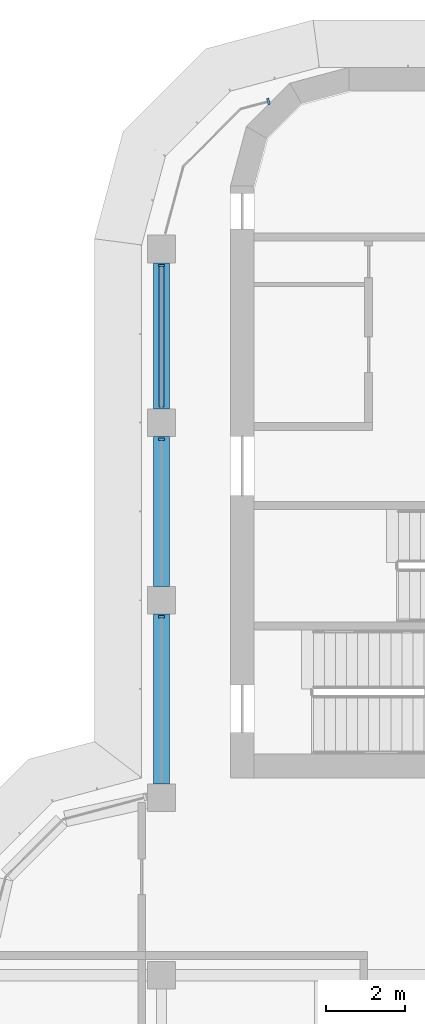
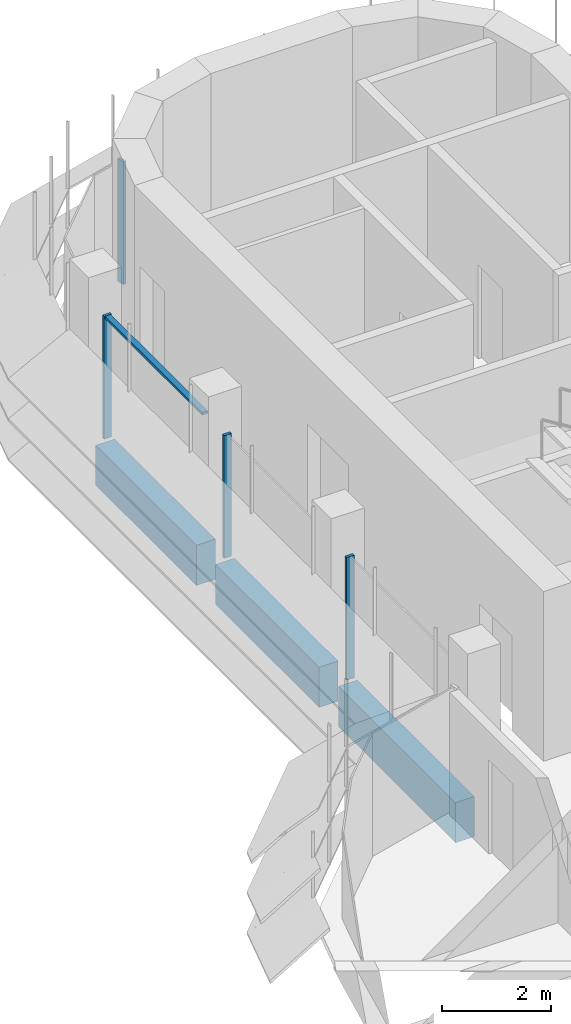
# One storey, part 7 of 19: 5 members, 3 beams, 2 elements without a shape of their own.
"""IFC4 building model written with IfcOpenShell, lengths in metres."""

from ifc_helpers import new_model, si_unit, direction, frame, origin, origin_2d, place, context, subcontext, project, spatial, polyline, rectangle, outline, extrude, source, transform, mapped, material, material_profile, profile_set, type_object, element, aggregate, save


model = new_model("IFC4")

# Units and contexts
model_context = context("Model", 3, precision=1e-05, world=origin(), true_north=direction((0.0, 1.0)))
body_context = subcontext(model_context, "Body", "Model", "MODEL_VIEW")
ifc_project = project(units=[si_unit("LENGTHUNIT", "METRE"), si_unit("AREAUNIT", "SQUARE_METRE"), si_unit("VOLUMEUNIT", "CUBIC_METRE"), si_unit("PLANEANGLEUNIT", "RADIAN"), si_unit("MASSUNIT", "GRAM", prefix="KILO")], contexts=[model_context])

# Site, building, storey
site_placement = place(None, origin())
site = spatial("IfcSite", under=ifc_project, at=site_placement, CompositionType="ELEMENT")
building_placement = place(site_placement, origin())
building = spatial("IfcBuilding", under=site, at=building_placement, Name="Zarbagh Exchange Tower", CompositionType="ELEMENT")
storey_placement = place(building_placement, frame((0.0, 0.0, 233.39990234375)))
storey = spatial("IfcBuildingStorey", under=building, at=storey_placement, Name="L57", CompositionType="ELEMENT", Elevation=233.39990234375)

# Beams
ifc_material_1 = material(Name="Concrete C50/60", Category="concrete")
ifc_material_profile = material_profile(ifc_material_1, rectangle(XDim=0.39990234375, YDim=0.89990234375, at=origin_2d()), Name="RC spandrel beam 400 x 900 C50/60")
ifc_profile_set = profile_set([ifc_material_profile], Name="Concrete C50/60")
beam_type = type_object("IfcBeamType", Name="RC spandrel beam 400 x 900 C50/60", PredefinedType="SPANDREL", material=ifc_profile_set)
beam_1_placement = place(storey_placement, frame((-6.25, 11.10009765625, -0.599853515625), z_axis=(0.0, 1.0, 0.0), x_axis=(-1.0, 0.0, 0.0)))
element("IfcBeam", 1, at=beam_1_placement, inside=storey, type_object=beam_type, Name="RC spandrel beam", PredefinedType="SPANDREL", context=body_context, shape_type="SweptSolid", body=[
    extrude(rectangle(XDim=0.39990234375, YDim=0.89990234375, at=origin_2d()), origin(), (0.0, 0.0, 1.0), 4.2998046875),
])
beam_2_placement = place(storey_placement, frame((-6.25, 16.10009765625, -0.599853515625), z_axis=(0.0, 1.0, 0.0), x_axis=(-1.0, 0.0, 0.0)))
element("IfcBeam", 2, at=beam_2_placement, inside=storey, type_object=beam_type, Name="RC spandrel beam", PredefinedType="SPANDREL", context=body_context, shape_type="SweptSolid", body=[
    extrude(rectangle(XDim=0.39990234375, YDim=0.89990234375, at=origin_2d()), origin(), (0.0, 0.0, 1.0), 3.7998046875),
])
beam_3_placement = place(storey_placement, frame((-6.25, 20.60009765625, -0.599853515625), z_axis=(0.0, 1.0, 0.0), x_axis=(-1.0, 0.0, 0.0)))
element("IfcBeam", 3, at=beam_3_placement, inside=storey, type_object=beam_type, Name="RC spandrel beam", PredefinedType="SPANDREL", context=body_context, shape_type="SweptSolid", body=[
    extrude(rectangle(XDim=0.39990234375, YDim=0.89990234375, at=origin_2d()), origin(), (0.0, 0.0, 1.0), 3.699951171875),
])

# Curtain wall, member
ifc_material_2 = material(Name="Anodised aluminium frame and glazing", Category="aluminium")
curtain_wall_type = type_object("IfcCurtainWallType", Name="CWB Ribbon glazing, upper zones", PredefinedType="NOTDEFINED", material=ifc_material_2)
curtain_wall_1_placement = place(storey_placement, origin())
curtain_wall_1 = element("IfcCurtainWall", 4, at=curtain_wall_1_placement, inside=storey, type_object=curtain_wall_type, Name="CWB70 curtain wall", PredefinedType="NOTDEFINED")
ifc_material_3 = material(Name="Anodised aluminium frame", Category="aluminium")
member_type_1 = type_object("IfcMemberType", Name="MUB Mullion, anodised aluminium frame", PredefinedType="MULLION", material=ifc_material_3)
shared_shape_1 = source(origin(), body_context, "Body", "SweptSolid", [
    extrude(outline(polyline([(0.0, -0.080078125), (0.06005859375, -0.080078125), (0.06005859375, 0.080078125), (0.0, 0.080078125), (0.0, -0.080078125)])), origin(), (0.0, 0.0, 1.0), 2.75),
])
placement = place(storey_placement, origin())
member_1 = element("IfcMember", 5, at=placement, type_object=member_type_1, Name="CWB70 mullion 1.1", PredefinedType="MULLION", context=body_context, shape_type="MappedRepresentation", body=[
    mapped(shared_shape_1, transform((-3.510009765625, 28.394775390625, 0.0), x_axis=(-0.965924289636, -0.258824779902, 0.0), y_axis=(0.258824779902, -0.965924289636, 0.0), z_axis=(0.0, 0.0, 1.0))),
])
aggregate(curtain_wall_1, [member_1])

# Curtain wall, members
curtain_wall_2_placement = place(storey_placement, origin())
curtain_wall_2 = element("IfcCurtainWall", 6, at=curtain_wall_2_placement, inside=storey, type_object=curtain_wall_type, Name="CWB73 curtain wall", PredefinedType="NOTDEFINED")
member_2 = element("IfcMember", 7, at=placement, type_object=member_type_1, Name="CWB73 mullion 1.1", PredefinedType="MULLION", context=body_context, shape_type="MappedRepresentation", body=[
    mapped(shared_shape_1, transform((-6.25, 24.260009765625, 0.0), x_axis=(0.0, -1.0, 0.0), y_axis=(1.0, 0.0, 0.0), z_axis=(0.0, 0.0, 1.0))),
])
member_3 = element("IfcMember", 8, at=placement, type_object=member_type_1, Name="CWB73 mullion 2.1", PredefinedType="MULLION", context=body_context, shape_type="MappedRepresentation", body=[
    mapped(shared_shape_1, transform((-6.25, 19.85986328125, 0.0), x_axis=(0.0, -1.0, 0.0), y_axis=(1.0, 0.0, 0.0), z_axis=(0.0, 0.0, 1.0))),
])
member_4 = element("IfcMember", 9, at=placement, type_object=member_type_1, Name="CWB73 mullion 3.1", PredefinedType="MULLION", context=body_context, shape_type="MappedRepresentation", body=[
    mapped(shared_shape_1, transform((-6.25, 15.35986328125, 0.0), x_axis=(0.0, -1.0, 0.0), y_axis=(1.0, 0.0, 0.0), z_axis=(0.0, 0.0, 1.0))),
])
member_type_2 = type_object("IfcMemberType", Name="TRB Transom, anodised aluminium frame", PredefinedType="USERDEFINED", material=ifc_material_3)
shared_shape_2 = source(origin(), body_context, "Body", "SweptSolid", [
    extrude(outline(polyline([(-0.06005859375, -0.06005859375), (0.0, -0.06005859375), (0.0, 0.06005859375), (-0.06005859375, 0.06005859375), (-0.06005859375, -0.06005859375)])), origin(), (0.0, 0.0, 1.0), 3.56005859375),
])
member_5 = element("IfcMember", 10, at=placement, type_object=member_type_2, Name="CWB73 transom 1.1", ObjectType="TRANSOM", PredefinedType="USERDEFINED", context=body_context, shape_type="MappedRepresentation", body=[
    mapped(shared_shape_2, transform((-6.25, 24.199951171875, 2.75), x_axis=(0.0, 0.0, 1.0), y_axis=(-1.0, 0.0, 0.0), z_axis=(0.0, -1.0, 0.0))),
])
aggregate(curtain_wall_2, [member_2, member_5, member_3, member_4])

save(model, "model.ifc")
